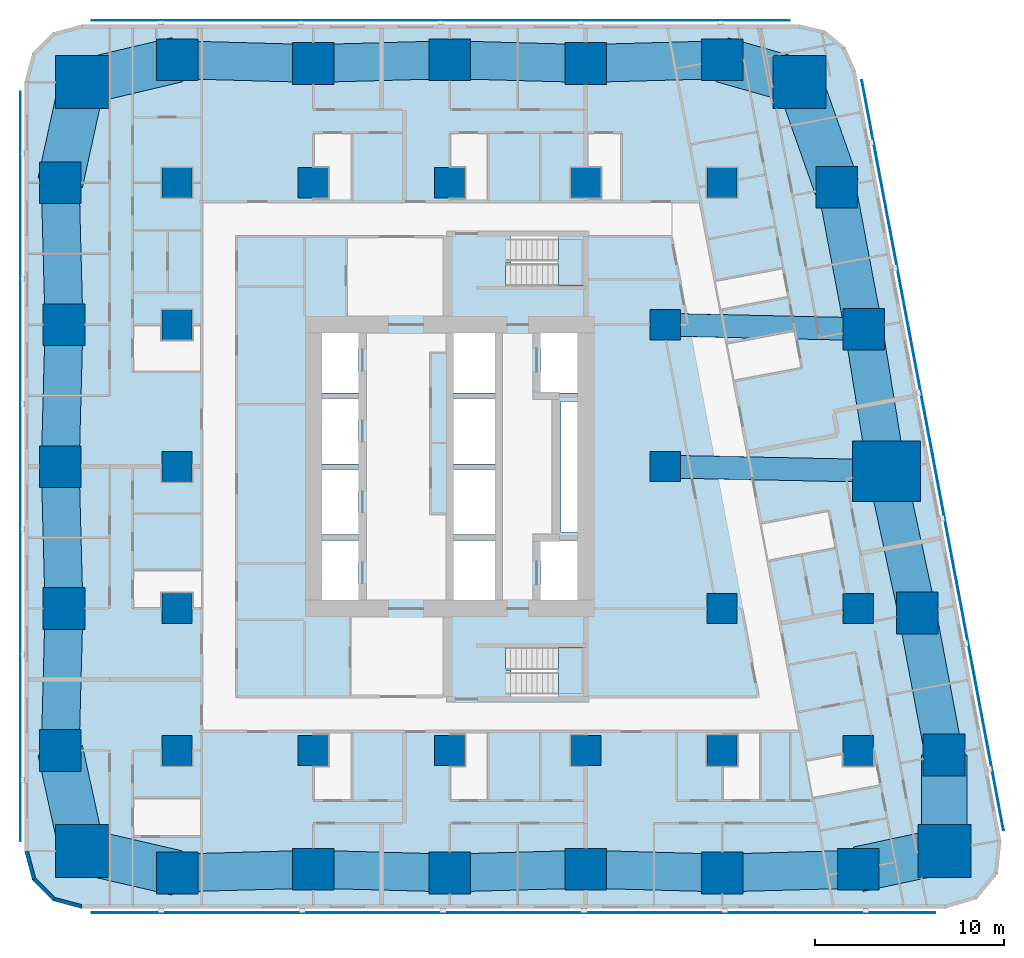
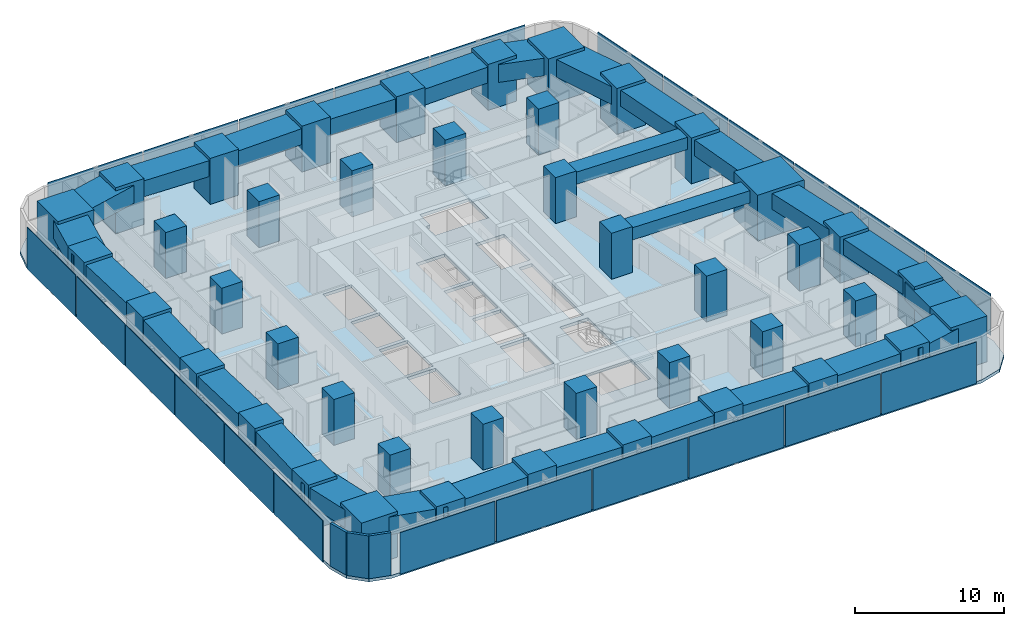
# One storey, part 1 of 17: 43 columns, 27 beams, 23 plates, 3 slabs, 3 walls, 2 elements without a shape of their own.
"""IFC4 building model written with IfcOpenShell, lengths in metres."""

from ifc_helpers import new_model, si_unit, direction, frame, frame_2d, origin, origin_2d, place, context, subcontext, project, spatial, polyline, rectangle, outline, extrude, material, layer, layer_set, material_profile, profile_set, type_object, element, aggregate, save


model = new_model("IFC4")

# Units and contexts
model_context = context("Model", 3, precision=1e-05, world=origin(), true_north=direction((0.0, 1.0)))
body_context = subcontext(model_context, "Body", "Model", "MODEL_VIEW")
ifc_project = project(units=[si_unit("LENGTHUNIT", "METRE"), si_unit("AREAUNIT", "SQUARE_METRE"), si_unit("VOLUMEUNIT", "CUBIC_METRE"), si_unit("PLANEANGLEUNIT", "RADIAN"), si_unit("MASSUNIT", "GRAM", prefix="KILO")], contexts=[model_context])

# Site, building, storey
site_placement = place(None, origin())
site = spatial("IfcSite", under=ifc_project, at=site_placement, CompositionType="ELEMENT")
building_placement = place(site_placement, origin())
building = spatial("IfcBuilding", under=site, at=building_placement, Name="Sheger Commons Tower", CompositionType="ELEMENT")
storey_placement = place(building_placement, frame((0.0, 0.0, 111.64990234375)))
storey = spatial("IfcBuildingStorey", under=building, at=storey_placement, Name="L28", CompositionType="ELEMENT", Elevation=111.64990234375)

# Columns
ifc_material_1 = material(Name="Concrete C50/60", Category="concrete")
ifc_material_profile_1 = material_profile(ifc_material_1, rectangle(XDim=3.60009765625, YDim=3.199951171875, at=origin_2d()), Name="RC 3600x3200")
ifc_profile_set_1 = profile_set([ifc_material_profile_1], Name="Concrete C50/60")
column_type_1 = type_object("IfcColumnType", Name="COLUMN PIER RC 3600x3200", PredefinedType="COLUMN", material=ifc_profile_set_1)
column_placement = place(storey_placement, frame((44.697021484375, 22.262939453125, 0.0), z_axis=(0.0, 0.0, 1.0), x_axis=(1.0, 0.0, 0.0)))
element("IfcColumn", 1, at=column_placement, inside=storey, type_object=column_type_1, Name="Pier 7/D+E/D L28", PredefinedType="COLUMN", context=body_context, shape_type="SweptSolid", body=[
    extrude(rectangle(XDim=3.60009765625, YDim=3.199951171875, at=origin_2d()), origin(), (0.0, 0.0, 1.0), 3.75),
])
ifc_material_2 = material(Name="Concrete C50/60", Category="concrete")
ifc_material_profile_2 = material_profile(ifc_material_2, rectangle(XDim=1.60009765625, YDim=1.60009765625, at=origin_2d()), Name="RC 1600x1600")
ifc_profile_set_2 = profile_set([ifc_material_profile_2], Name="Concrete C50/60")
column_type_2 = type_object("IfcColumnType", Name="COLUMN RC 1600x1600", PredefinedType="COLUMN", material=ifc_profile_set_2)
for number, where, z_axis, x_axis, name in (
    (2, (7.199951171875, 7.5, 0.0), (0.0, 0.0, 1.0), (1.0, 0.0, 0.0), "Column 2/B L28"),
    (3, (14.39990234375, 7.5, 0.0), (0.0, 0.0, 1.0), (1.0, 0.0, 0.0), "Column 3/B L28"),
    (4, (21.60009765625, 7.5, 0.0), (0.0, 0.0, 1.0), (1.0, 0.0, 0.0), "Column 4/B L28"),
    (5, (28.800048828125, 7.5, 0.0), (0.0, 0.0, 1.0), (1.0, 0.0, 0.0), "Column 5/B L28"),
    (6, (36.0, 7.5, 0.0), (0.0, 0.0, 1.0), (1.0, 0.0, 0.0), "Column 6/B L28"),
    (7, (43.199951171875, 7.5, 0.0), (0.0, 0.0, 1.0), (1.0, 0.0, 0.0), "Column 7/B L28"),
    (8, (7.199951171875, 15.0, 0.0), (0.0, 0.0, 1.0), (1.0, 0.0, 0.0), "Column 2/C L28"),
    (9, (36.0, 15.0, 0.0), (0.0, 0.0, 1.0), (1.0, 0.0, 0.0), "Column 6/C L28"),
    (10, (43.199951171875, 15.0, 0.0), (0.0, 0.0, 1.0), (1.0, 0.0, 0.0), "Column 7/C L28"),
    (11, (7.199951171875, 22.5, 0.0), (0.0, 0.0, 1.0), (1.0, 0.0, 0.0), "Column 2/D L28"),
    (12, (33.0, 22.5, 0.0), (0.0, 0.0, 1.0), (1.0, 0.0, 0.0), "Column 6-3000/D L28"),
    (13, (7.199951171875, 30.0, 0.0), (0.0, 0.0, 1.0), (1.0, 0.0, 0.0), "Column 2/E L28"),
    (14, (33.0, 30.0, 0.0), (0.0, 0.0, 1.0), (1.0, 0.0, 0.0), "Column 6-3000/E L28"),
    (15, (7.199951171875, 37.5, 0.0), (0.0, 0.0, 1.0), (1.0, 0.0, 0.0), "Column 2/F L28"),
    (16, (14.39990234375, 37.5, 0.0), (0.0, 0.0, 1.0), (1.0, 0.0, 0.0), "Column 3/F L28"),
    (17, (21.60009765625, 37.5, 0.0), (0.0, 0.0, 1.0), (1.0, 0.0, 0.0), "Column 4/F L28"),
    (18, (28.800048828125, 37.5, 0.0), (0.0, 0.0, 1.0), (1.0, 0.0, 0.0), "Column 5/F L28"),
    (19, (36.0, 37.5, 0.0), (0.0, 0.0, 1.0), (1.0, 0.0, 0.0), "Column 6/F L28"),
):
    element("IfcColumn", number, at=place(storey_placement, frame(where, z_axis=z_axis, x_axis=x_axis)), inside=storey, type_object=column_type_2, Name=name, PredefinedType="COLUMN", context=body_context, shape_type="SweptSolid", body=[
        extrude(rectangle(XDim=1.60009765625, YDim=1.60009765625, at=origin_2d()), origin(), (0.0, 0.0, 1.0), 3.75),
    ])
ifc_material_3 = material(Name="Concrete C50/60", Category="concrete")
ifc_material_profile_3 = material_profile(ifc_material_3, rectangle(XDim=2.199951171875, YDim=2.199951171875, at=origin_2d()), Name="RC 2200x2200")
ifc_profile_set_3 = profile_set([ifc_material_profile_3], Name="Concrete C50/60")
column_type_3 = type_object("IfcColumnType", Name="COLUMN RC 2200x2200", PredefinedType="COLUMN", material=ifc_profile_set_3)
for number, where, z_axis, x_axis, name in (
    (20, (7.199951171875, 1.02490234375, 0.0), (0.0, 0.0, 1.0), (1.0, 0.0, 0.0), "Column 2/A L28"),
    (21, (14.39990234375, 1.22509765625, 0.0), (0.0, 0.0, 1.0), (1.0, 0.0, 0.0), "Column 3/A L28"),
    (22, (21.60009765625, 1.02490234375, 0.0), (0.0, 0.0, 1.0), (1.0, 0.0, 0.0), "Column 4/A L28"),
    (23, (28.800048828125, 1.22509765625, 0.0), (0.0, 0.0, 1.0), (1.0, 0.0, 0.0), "Column 5/A L28"),
    (24, (36.0, 1.02490234375, 0.0), (0.0, 0.0, 1.0), (1.0, 0.0, 0.0), "Column 6/A L28"),
    (25, (43.199951171875, 1.22509765625, 0.0), (0.0, 0.0, 1.0), (1.0, 0.0, 0.0), "Column 7/A L28"),
    (26, (1.02490234375, 7.5, 0.0), (0.0, 0.0, 1.0), (1.0, 0.0, 0.0), "Column 1/B L28"),
    (27, (47.72998046875, 7.262939453125, 0.0), (0.0, 0.0, 1.0), (1.0, 0.0, 0.0), "Column E/B L28"),
    (28, (1.22509765625, 15.0, 0.0), (0.0, 0.0, 1.0), (1.0, 0.0, 0.0), "Column 1/C L28"),
    (29, (46.31396484375, 14.762939453125, 0.0), (0.0, 0.0, 1.0), (1.0, 0.0, 0.0), "Column E/C L28"),
    (30, (1.02490234375, 22.5, 0.0), (0.0, 0.0, 1.0), (1.0, 0.0, 0.0), "Column 1/D L28"),
    (31, (1.22509765625, 30.0, 0.0), (0.0, 0.0, 1.0), (1.0, 0.0, 0.0), "Column 1/E L28"),
    (32, (43.47998046875, 29.762939453125, 0.0), (0.0, 0.0, 1.0), (1.0, 0.0, 0.0), "Column E/E L28"),
    (33, (1.02490234375, 37.5, 0.0), (0.0, 0.0, 1.0), (1.0, 0.0, 0.0), "Column 1/F L28"),
    (34, (42.06396484375, 37.262939453125, 0.0), (0.0, 0.0, 1.0), (1.0, 0.0, 0.0), "Column E/F L28"),
    (35, (7.199951171875, 44.0, 0.0), (0.0, 0.0, 1.0), (1.0, 0.0, 0.0), "Column 2/G L28"),
    (36, (14.39990234375, 43.800048828125, 0.0), (0.0, 0.0, 1.0), (1.0, 0.0, 0.0), "Column 3/G L28"),
    (37, (21.60009765625, 44.0, 0.0), (0.0, 0.0, 1.0), (1.0, 0.0, 0.0), "Column 4/G L28"),
    (38, (28.800048828125, 43.800048828125, 0.0), (0.0, 0.0, 1.0), (1.0, 0.0, 0.0), "Column 5/G L28"),
    (39, (36.0, 44.0, 0.0), (0.0, 0.0, 1.0), (1.0, 0.0, 0.0), "Column 6/G L28"),
):
    element("IfcColumn", number, at=place(storey_placement, frame(where, z_axis=z_axis, x_axis=x_axis)), inside=storey, type_object=column_type_3, Name=name, PredefinedType="COLUMN", context=body_context, shape_type="SweptSolid", body=[
        extrude(rectangle(XDim=2.199951171875, YDim=2.199951171875, at=origin_2d()), origin(), (0.0, 0.0, 1.0), 3.75),
    ])
ifc_material_4 = material(Name="Concrete C50/60", Category="concrete")
ifc_material_profile_4 = material_profile(ifc_material_4, rectangle(XDim=2.800048828125, YDim=2.800048828125, at=origin_2d()), Name="RC 2800x2800")
ifc_profile_set_4 = profile_set([ifc_material_profile_4], Name="Concrete C50/60")
column_type_4 = type_object("IfcColumnType", Name="COLUMN RC 2800x2800", PredefinedType="COLUMN", material=ifc_profile_set_4)
for number, where, z_axis, x_axis, name in (
    (40, (2.18603515625, 2.18603515625, 0.0), (0.0, 0.0, 1.0), (1.0, 0.0, 0.0), "Column 0.630,0.630 L28"),
    (41, (47.748046875, 2.197021484375, 0.0), (0.0, 0.0, 1.0), (1.0, 0.0, 0.0), "Column 49.461,0.778 L28"),
    (42, (2.18603515625, 42.81396484375, 0.0), (0.0, 0.0, 1.0), (1.0, 0.0, 0.0), "Column 0.630,44.370 L28"),
    (43, (40.10205078125, 42.830078125, 0.0), (0.0, 0.0, 1.0), (1.0, 0.0, 0.0), "Column 41.490,44.505 L28"),
):
    element("IfcColumn", number, at=place(storey_placement, frame(where, z_axis=z_axis, x_axis=x_axis)), inside=storey, type_object=column_type_4, Name=name, PredefinedType="COLUMN", context=body_context, shape_type="SweptSolid", body=[
        extrude(rectangle(XDim=2.800048828125, YDim=2.800048828125, at=origin_2d()), origin(), (0.0, 0.0, 1.0), 3.75),
    ])

# Beams
ifc_material_5 = material(Name="Concrete C50/60", Category="concrete")
ifc_material_profile_5 = material_profile(ifc_material_5, rectangle(XDim=1.199951171875, YDim=1.0, at=origin_2d()), Name="RC 1200x1000")
ifc_profile_set_5 = profile_set([ifc_material_profile_5], Name="Concrete C50/60")
beam_type_1 = type_object("IfcBeamType", Name="BEAM RC 1200x1000", PredefinedType="BEAM", material=ifc_profile_set_5)
beam_1_placement = place(storey_placement, frame((33.0, 22.5, 3.0), z_axis=(0.999794692776, -0.02026258368, 0.0), x_axis=(0.02026258368, 0.999794692776, 0.0)))
element("IfcBeam", 44, at=beam_1_placement, inside=storey, type_object=beam_type_1, Name="Beam 6-3000/D-7/D under L29", PredefinedType="BEAM", context=body_context, shape_type="SweptSolid", body=[
    extrude(rectangle(XDim=1.199951171875, YDim=1.0, at=origin_2d()), origin(), (0.0, 0.0, 1.0), 11.699462890625),
])
beam_2_placement = place(storey_placement, frame((33.0, 30.0, 3.0), z_axis=(0.999744258625, -0.022614538395, 0.0), x_axis=(0.022614538395, 0.999744258625, 0.0)))
element("IfcBeam", 45, at=beam_2_placement, inside=storey, type_object=beam_type_1, Name="Beam 6-3000/E-E/E under L29", PredefinedType="BEAM", context=body_context, shape_type="SweptSolid", body=[
    extrude(rectangle(XDim=1.199951171875, YDim=1.0, at=origin_2d()), origin(), (0.0, 0.0, 1.0), 10.482666015625),
])
ifc_material_6 = material(Name="Concrete C50/60", Category="concrete")
ifc_material_profile_6 = material_profile(ifc_material_6, rectangle(XDim=2.0, YDim=1.300048828125, at=origin_2d()), Name="RC 2000x1300")
ifc_profile_set_6 = profile_set([ifc_material_profile_6], Name="Concrete C50/60")
beam_type_2 = type_object("IfcBeamType", Name="SPANDREL RC 2000x1300", PredefinedType="SPANDREL", material=ifc_profile_set_6)
beam_3_placement = place(storey_placement, frame((7.199951171875, 1.02490234375, 2.85009765625), z_axis=(0.9996136624, 0.027794350926, 0.0), x_axis=(-0.027794350926, 0.9996136624, 0.0)))
element("IfcBeam", 46, at=beam_3_placement, inside=storey, type_object=beam_type_2, Name="Beam 2/A-3/A under L29", PredefinedType="SPANDREL", context=body_context, shape_type="SweptSolid", body=[
    extrude(rectangle(XDim=2.0, YDim=1.300048828125, at=origin_2d()), origin(), (0.0, 0.0, 1.0), 7.20263671875),
])
beam_4_placement = place(storey_placement, frame((14.39990234375, 1.22509765625, 2.85009765625), z_axis=(0.999613688584, -0.027793409217, 0.0), x_axis=(0.027793409217, 0.999613688584, 0.0)))
element("IfcBeam", 47, at=beam_4_placement, inside=storey, type_object=beam_type_2, Name="Beam 3/A-4/A under L29", PredefinedType="SPANDREL", context=body_context, shape_type="SweptSolid", body=[
    extrude(rectangle(XDim=2.0, YDim=1.300048828125, at=origin_2d()), origin(), (0.0, 0.0, 1.0), 7.202880859375),
])
for number, where, z_axis, x_axis, name in (
    (48, (21.60009765625, 1.02490234375, 2.85009765625), (0.9996136624, 0.027794350926, 0.0), (-0.027794350926, 0.9996136624, 0.0), "Beam 4/A-5/A under L29"),
    (49, (28.800048828125, 1.22509765625, 2.85009765625), (0.9996136624, -0.027794350926, 0.0), (0.027794350926, 0.9996136624, 0.0), "Beam 5/A-6/A under L29"),
    (50, (36.0, 1.02490234375, 2.85009765625), (0.9996136624, 0.027794350926, 0.0), (-0.027794350926, 0.9996136624, 0.0), "Beam 6/A-7/A under L29"),
):
    element("IfcBeam", number, at=place(storey_placement, frame(where, z_axis=z_axis, x_axis=x_axis)), inside=storey, type_object=beam_type_2, Name=name, PredefinedType="SPANDREL", context=body_context, shape_type="SweptSolid", body=[
        extrude(rectangle(XDim=2.0, YDim=1.300048828125, at=origin_2d()), origin(), (0.0, 0.0, 1.0), 7.20263671875),
    ])
beam_5_placement = place(storey_placement, frame((47.72998046875, 7.262939453125, 2.85009765625), z_axis=(-0.18552441405, 0.982639655108, 0.0), x_axis=(-0.982639655108, -0.18552441405, 0.0)))
element("IfcBeam", 51, at=beam_5_placement, inside=storey, type_object=beam_type_2, Name="Beam E/B-E/C under L29", PredefinedType="SPANDREL", context=body_context, shape_type="SweptSolid", body=[
    extrude(rectangle(XDim=2.0, YDim=1.300048828125, at=origin_2d()), origin(), (0.0, 0.0, 1.0), 7.632568359375),
])
beam_6_placement = place(storey_placement, frame((46.31396484375, 14.762939453125, 2.85009765625), z_axis=(-0.210750229323, 0.977539943348, 0.0), x_axis=(-0.977539943348, -0.210750229323, 0.0)))
element("IfcBeam", 52, at=beam_6_placement, inside=storey, type_object=beam_type_2, Name="Beam E/C-E/D under L29", PredefinedType="SPANDREL", context=body_context, shape_type="SweptSolid", body=[
    extrude(rectangle(XDim=2.0, YDim=1.300048828125, at=origin_2d()), origin(), (0.0, 0.0, 1.0), 7.67236328125),
])
beam_7_placement = place(storey_placement, frame((44.697021484375, 22.262939453125, 2.85009765625), z_axis=(-0.160176929512, 0.987088319884, 0.0), x_axis=(-0.987088319884, -0.160176929512, 0.0)))
element("IfcBeam", 53, at=beam_7_placement, inside=storey, type_object=beam_type_2, Name="Beam E/D-E/E under L29", PredefinedType="SPANDREL", context=body_context, shape_type="SweptSolid", body=[
    extrude(rectangle(XDim=2.0, YDim=1.300048828125, at=origin_2d()), origin(), (0.0, 0.0, 1.0), 7.59814453125),
])
beam_8_placement = place(storey_placement, frame((43.47998046875, 29.762939453125, 2.85009765625), z_axis=(-0.18552441405, 0.982639655108, 0.0), x_axis=(-0.982639655108, -0.18552441405, 0.0)))
element("IfcBeam", 54, at=beam_8_placement, inside=storey, type_object=beam_type_2, Name="Beam E/E-E/F under L29", PredefinedType="SPANDREL", context=body_context, shape_type="SweptSolid", body=[
    extrude(rectangle(XDim=2.0, YDim=1.300048828125, at=origin_2d()), origin(), (0.0, 0.0, 1.0), 7.632568359375),
])
for number, where, z_axis, x_axis, name in (
    (55, (36.0, 44.0, 2.85009765625), (-0.999614603568, -0.027760481514, 0.0), (0.027760481514, -0.999614603568, 0.0), "Beam 6/G-5/G under L29"),
    (56, (28.800048828125, 43.800048828125, 2.85009765625), (-0.999614603568, 0.027760481514, 0.0), (-0.027760481514, -0.999614603568, 0.0), "Beam 5/G-4/G under L29"),
):
    element("IfcBeam", number, at=place(storey_placement, frame(where, z_axis=z_axis, x_axis=x_axis)), inside=storey, type_object=beam_type_2, Name=name, PredefinedType="SPANDREL", context=body_context, shape_type="SweptSolid", body=[
        extrude(rectangle(XDim=2.0, YDim=1.300048828125, at=origin_2d()), origin(), (0.0, 0.0, 1.0), 7.20263671875),
    ])
beam_9_placement = place(storey_placement, frame((21.60009765625, 44.0, 2.85009765625), z_axis=(-0.999614629688, -0.027759540951, 0.0), x_axis=(0.027759540951, -0.999614629688, 0.0)))
element("IfcBeam", 57, at=beam_9_placement, inside=storey, type_object=beam_type_2, Name="Beam 4/G-3/G under L29", PredefinedType="SPANDREL", context=body_context, shape_type="SweptSolid", body=[
    extrude(rectangle(XDim=2.0, YDim=1.300048828125, at=origin_2d()), origin(), (0.0, 0.0, 1.0), 7.202880859375),
])
beam_10_placement = place(storey_placement, frame((14.39990234375, 43.800048828125, 2.85009765625), z_axis=(-0.999614603568, 0.027760481514, 0.0), x_axis=(-0.027760481514, -0.999614603568, 0.0)))
element("IfcBeam", 58, at=beam_10_placement, inside=storey, type_object=beam_type_2, Name="Beam 3/G-2/G under L29", PredefinedType="SPANDREL", context=body_context, shape_type="SweptSolid", body=[
    extrude(rectangle(XDim=2.0, YDim=1.300048828125, at=origin_2d()), origin(), (0.0, 0.0, 1.0), 7.20263671875),
])
for number, where, z_axis, x_axis, name in (
    (59, (1.02490234375, 37.5, 2.85009765625), (0.026683204125, -0.999643939919, 0.0), (0.999643939919, 0.026683204125, 0.0), "Beam 1/F-1/E under L29"),
    (60, (1.22509765625, 30.0, 2.85009765625), (-0.026683204125, -0.999643939919, 0.0), (0.999643939919, -0.026683204125, 0.0), "Beam 1/E-1/D under L29"),
    (61, (1.02490234375, 22.5, 2.85009765625), (0.026683204125, -0.999643939919, 0.0), (0.999643939919, 0.026683204125, 0.0), "Beam 1/D-1/C under L29"),
    (62, (1.22509765625, 15.0, 2.85009765625), (-0.026683204125, -0.999643939919, 0.0), (0.999643939919, -0.026683204125, 0.0), "Beam 1/C-1/B under L29"),
):
    element("IfcBeam", number, at=place(storey_placement, frame(where, z_axis=z_axis, x_axis=x_axis)), inside=storey, type_object=beam_type_2, Name=name, PredefinedType="SPANDREL", context=body_context, shape_type="SweptSolid", body=[
        extrude(rectangle(XDim=2.0, YDim=1.300048828125, at=origin_2d()), origin(), (0.0, 0.0, 1.0), 7.502685546875),
    ])
ifc_material_7 = material(Name="Concrete C50/60", Category="concrete")
ifc_material_profile_7 = material_profile(ifc_material_7, rectangle(XDim=2.39990234375, YDim=1.449951171875, at=origin_2d()), Name="RC 2400x1450")
ifc_profile_set_7 = profile_set([ifc_material_profile_7], Name="Concrete C50/60")
beam_type_3 = type_object("IfcBeamType", Name="SPANDREL RC 2400x1450", PredefinedType="SPANDREL", material=ifc_profile_set_7)
beam_11_placement = place(storey_placement, frame((2.18603515625, 2.18603515625, 2.775146484375), z_axis=(0.974217413499, -0.225611239159, 0.0), x_axis=(0.225611239159, 0.974217413499, 0.0)))
element("IfcBeam", 63, at=beam_11_placement, inside=storey, type_object=beam_type_3, Name="Beam 0.630,0.630-2/A under L29", PredefinedType="SPANDREL", context=body_context, shape_type="SweptSolid", body=[
    extrude(rectangle(XDim=2.39990234375, YDim=1.449951171875, at=origin_2d()), origin(), (0.0, 0.0, 1.0), 5.146728515625),
])
beam_12_placement = place(storey_placement, frame((43.199951171875, 1.22509765625, 2.775146484375), z_axis=(0.977919796671, 0.208980552394, 0.0), x_axis=(-0.208980552394, 0.977919796671, 0.0)))
element("IfcBeam", 64, at=beam_12_placement, inside=storey, type_object=beam_type_3, Name="Beam 7/A-49.461,0.778 under L29", PredefinedType="SPANDREL", context=body_context, shape_type="SweptSolid", body=[
    extrude(rectangle(XDim=2.39990234375, YDim=1.449951171875, at=origin_2d()), origin(), (0.0, 0.0, 1.0), 4.65087890625),
])
beam_13_placement = place(storey_placement, frame((47.748046875, 2.197021484375, 2.775146484375), z_axis=(-0.003566242382, 0.999993640937, 0.0), x_axis=(-0.999993640937, -0.003566242382, 0.0)))
element("IfcBeam", 65, at=beam_13_placement, inside=storey, type_object=beam_type_3, Name="Beam 49.461,0.778-E/B under L29", PredefinedType="SPANDREL", context=body_context, shape_type="SweptSolid", body=[
    extrude(rectangle(XDim=2.39990234375, YDim=1.449951171875, at=origin_2d()), origin(), (0.0, 0.0, 1.0), 5.06591796875),
])
beam_14_placement = place(storey_placement, frame((42.06396484375, 37.262939453125, 2.775146484375), z_axis=(-0.332374403357, 0.943147526102, 0.0), x_axis=(-0.943147526102, -0.332374403357, 0.0)))
element("IfcBeam", 66, at=beam_14_placement, inside=storey, type_object=beam_type_3, Name="Beam E/F-41.490,44.505 under L29", PredefinedType="SPANDREL", context=body_context, shape_type="SweptSolid", body=[
    extrude(rectangle(XDim=2.39990234375, YDim=1.449951171875, at=origin_2d()), origin(), (0.0, 0.0, 1.0), 5.90283203125),
])
beam_15_placement = place(storey_placement, frame((40.10205078125, 42.830078125, 2.775146484375), z_axis=(-0.961653428129, 0.274267541221, 0.0), x_axis=(-0.274267541221, -0.961653428129, 0.0)))
element("IfcBeam", 67, at=beam_15_placement, inside=storey, type_object=beam_type_3, Name="Beam 41.490,44.505-6/G under L29", PredefinedType="SPANDREL", context=body_context, shape_type="SweptSolid", body=[
    extrude(rectangle(XDim=2.39990234375, YDim=1.449951171875, at=origin_2d()), origin(), (0.0, 0.0, 1.0), 4.265625),
])
beam_16_placement = place(storey_placement, frame((7.199951171875, 44.0, 2.775146484375), z_axis=(-0.97314428949, -0.230195985701, 0.0), x_axis=(0.230195985701, -0.97314428949, 0.0)))
element("IfcBeam", 68, at=beam_16_placement, inside=storey, type_object=beam_type_3, Name="Beam 2/G-0.630,44.370 under L29", PredefinedType="SPANDREL", context=body_context, shape_type="SweptSolid", body=[
    extrude(rectangle(XDim=2.39990234375, YDim=1.449951171875, at=origin_2d()), origin(), (0.0, 0.0, 1.0), 5.15234375),
])
for number, where, z_axis, x_axis, name in (
    (69, (2.18603515625, 42.81396484375, 2.775146484375), (-0.213469314652, -0.976949769283, 0.0), (0.976949769283, -0.213469314652, 0.0), "Beam 0.630,44.370-1/F under L29"),
    (70, (1.02490234375, 7.5, 2.775146484375), (0.213469314652, -0.976949769283, 0.0), (0.976949769283, 0.213469314652, 0.0), "Beam 1/B-0.630,0.630 under L29"),
):
    element("IfcBeam", number, at=place(storey_placement, frame(where, z_axis=z_axis, x_axis=x_axis)), inside=storey, type_object=beam_type_3, Name=name, PredefinedType="SPANDREL", context=body_context, shape_type="SweptSolid", body=[
        extrude(rectangle(XDim=2.39990234375, YDim=1.449951171875, at=origin_2d()), origin(), (0.0, 0.0, 1.0), 5.439453125),
    ])

# Slab
ifc_material_8 = material(Name="Concrete C35/45", Category="concrete")
ifc_layer_1 = layer(ifc_material_8, 0.25)
ifc_layer_set_1 = layer_set([ifc_layer_1], Name="SLAB FLOOR 250")
slab_type_1 = type_object("IfcSlabType", Name="SLAB FLOOR 250", PredefinedType="FLOOR", material=ifc_layer_set_1)
slab_1_placement = place(storey_placement, frame((0.0, 0.0, -0.25)))
element("IfcSlab", 71, at=slab_1_placement, inside=storey, type_object=slab_type_1, Name="L28 floor slab", PredefinedType="FLOOR", context=body_context, shape_type="SweptSolid", body=[
    extrude(outline(polyline([(-0.85009765625, 2.14990234375), (-0.447998046875, 0.64990234375), (0.64990234375, -0.447998046875), (2.14990234375, -0.85009765625), (47.805908203125, -0.85009765625), (49.465087890625, -0.35009765625), (50.570068359375, 0.98388671875), (50.75390625, 2.70703125), (43.06591796875, 43.406982421875), (42.509033203125, 44.660888671875), (41.452880859375, 45.535888671875), (40.117919921875, 45.85009765625), (2.14990234375, 45.85009765625), (0.64990234375, 45.447998046875), (-0.447998046875, 44.35009765625), (-0.85009765625, 42.85009765625), (-0.85009765625, 2.14990234375)]), holes=[polyline([(24.85009765625, 10.35009765625), (28.64990234375, 10.35009765625), (28.64990234375, 12.949951171875), (24.551025390625, 12.949951171875), (24.551025390625, 11.75), (24.85009765625, 11.75), (24.85009765625, 10.35009765625)]), polyline([(24.551025390625, 32.050048828125), (28.64990234375, 32.050048828125), (28.64990234375, 34.64990234375), (24.85009765625, 34.64990234375), (24.85009765625, 33.25), (24.551025390625, 33.25), (24.551025390625, 32.050048828125)]), polyline([(26.39990234375, 15.14990234375), (28.60009765625, 15.14990234375), (28.60009765625, 18.60009765625), (26.39990234375, 18.60009765625), (26.39990234375, 15.14990234375)]), polyline([(26.39990234375, 26.39990234375), (28.60009765625, 26.39990234375), (28.60009765625, 29.85009765625), (26.39990234375, 29.85009765625), (26.39990234375, 26.39990234375)]), polyline([(14.60009765625, 15.14990234375), (16.800048828125, 15.14990234375), (16.800048828125, 18.60009765625), (14.60009765625, 18.60009765625), (14.60009765625, 15.14990234375)]), polyline([(14.60009765625, 18.89990234375), (16.800048828125, 18.89990234375), (16.800048828125, 22.35009765625), (14.60009765625, 22.35009765625), (14.60009765625, 18.89990234375)]), polyline([(14.60009765625, 22.64990234375), (16.800048828125, 22.64990234375), (16.800048828125, 26.10009765625), (14.60009765625, 26.10009765625), (14.60009765625, 22.64990234375)]), polyline([(14.60009765625, 26.39990234375), (16.800048828125, 26.39990234375), (16.800048828125, 29.85009765625), (14.60009765625, 29.85009765625), (14.60009765625, 26.39990234375)]), polyline([(21.800048828125, 15.14990234375), (24.0, 15.14990234375), (24.0, 18.60009765625), (21.800048828125, 18.60009765625), (21.800048828125, 15.14990234375)]), polyline([(21.800048828125, 18.89990234375), (24.0, 18.89990234375), (24.0, 22.35009765625), (21.800048828125, 22.35009765625), (21.800048828125, 18.89990234375)]), polyline([(21.800048828125, 22.64990234375), (24.0, 22.64990234375), (24.0, 26.10009765625), (21.800048828125, 26.10009765625), (21.800048828125, 22.64990234375)]), polyline([(21.800048828125, 26.39990234375), (24.0, 26.39990234375), (24.0, 29.85009765625), (21.800048828125, 29.85009765625), (21.800048828125, 26.39990234375)]), polyline([(27.5, 19.050048828125), (28.5, 19.050048828125), (28.5, 25.949951171875), (27.5, 25.949951171875), (27.5, 19.050048828125)])]), origin(), (0.0, 0.0, 1.0), 0.25),
])

# Plates
ifc_material_9 = material(Name="Perforated black anodised aluminium screen", Category="aluminium")
ifc_layer_2 = layer(ifc_material_9, 0.050048828125)
ifc_layer_set_2 = layer_set([ifc_layer_2], Name="SOLAR SCREEN SCREEN-1")
plate_type = type_object("IfcPlateType", Name="SOLAR SCREEN SCREEN-1", PredefinedType="USERDEFINED", material=ifc_layer_set_2)
for number, where, z_axis, x_axis, name in (
    (72, (6.37109375, -1.074951171875, 0.050048828125), (0.0, 0.0, 1.0), (1.0, 0.0, 0.0), "Perforated solar screen panel"),
    (73, (13.81396484375, -1.074951171875, 0.050048828125), (0.0, 0.0, 1.0), (1.0, 0.0, 0.0), "Perforated solar screen panel"),
    (74, (21.257080078125, -1.074951171875, 0.050048828125), (0.0, 0.0, 1.0), (1.0, 0.0, 0.0), "Perforated solar screen panel"),
    (75, (28.698974609375, -1.074951171875, 0.050048828125), (0.0, 0.0, 1.0), (1.0, 0.0, 0.0), "Perforated solar screen panel"),
    (76, (36.14208984375, -1.074951171875, 0.050048828125), (0.0, 0.0, 1.0), (1.0, 0.0, 0.0), "Perforated solar screen panel"),
    (77, (43.5849609375, -1.074951171875, 0.050048828125), (0.0, 0.0, 1.0), (1.0, 0.0, 0.0), "Perforated solar screen panel"),
):
    element("IfcPlate", number, at=place(storey_placement, frame(where, z_axis=z_axis, x_axis=x_axis)), inside=storey, type_object=plate_type, Name=name, ObjectType="SCREEN", PredefinedType="USERDEFINED", context=body_context, shape_type="SweptSolid", body=[
        extrude(rectangle(XDim=7.343017578125, YDim=0.050048828125, at=origin_2d()), origin(), (0.0, 0.0, 1.0), 3.39990234375),
    ])
for number, where, z_axis, x_axis, name in (
    (78, (50.257080078125, 6.550048828125, 0.050048828125), (0.0, 0.0, 1.0), (-0.185615165645, 0.982622516678, 0.0), "Perforated solar screen panel"),
    (79, (49.007080078125, 13.1689453125, 0.050048828125), (0.0, 0.0, 1.0), (-0.185615165645, 0.982622516678, 0.0), "Perforated solar screen panel"),
    (80, (47.756103515625, 19.7890625, 0.050048828125), (0.0, 0.0, 1.0), (-0.185615165645, 0.982622516678, 0.0), "Perforated solar screen panel"),
    (81, (46.506103515625, 26.408935546875, 0.050048828125), (0.0, 0.0, 1.0), (-0.185615165645, 0.982622516678, 0.0), "Perforated solar screen panel"),
    (82, (45.2548828125, 33.028076171875, 0.050048828125), (0.0, 0.0, 1.0), (-0.185615165645, 0.982622516678, 0.0), "Perforated solar screen panel"),
    (83, (44.0048828125, 39.64794921875, 0.050048828125), (0.0, 0.0, 1.0), (-0.185615165645, 0.982622516678, 0.0), "Perforated solar screen panel"),
):
    element("IfcPlate", number, at=place(storey_placement, frame(where, z_axis=z_axis, x_axis=x_axis)), inside=storey, type_object=plate_type, Name=name, ObjectType="SCREEN", PredefinedType="USERDEFINED", context=body_context, shape_type="SweptSolid", body=[
        extrude(rectangle(XDim=6.636962890625, YDim=0.050048828125, at=origin_2d()), origin(), (0.0, 0.0, 1.0), 3.39990234375),
    ])
for number, where, z_axis, x_axis, name in (
    (84, (35.9208984375, 46.074951171875, 0.050048828125), (0.0, 0.0, 1.0), (-1.0, 0.0, 0.0), "Perforated solar screen panel"),
    (85, (28.528076171875, 46.074951171875, 0.050048828125), (0.0, 0.0, 1.0), (-1.0, 0.0, 0.0), "Perforated solar screen panel"),
    (86, (21.134033203125, 46.074951171875, 0.050048828125), (0.0, 0.0, 1.0), (-1.0, 0.0, 0.0), "Perforated solar screen panel"),
    (87, (13.739990234375, 46.074951171875, 0.050048828125), (0.0, 0.0, 1.0), (-1.0, 0.0, 0.0), "Perforated solar screen panel"),
    (88, (6.346923828125, 46.074951171875, 0.050048828125), (0.0, 0.0, 1.0), (-1.0, 0.0, 0.0), "Perforated solar screen panel"),
):
    element("IfcPlate", number, at=place(storey_placement, frame(where, z_axis=z_axis, x_axis=x_axis)), inside=storey, type_object=plate_type, Name=name, ObjectType="SCREEN", PredefinedType="USERDEFINED", context=body_context, shape_type="SweptSolid", body=[
        extrude(rectangle(XDim=7.2939453125, YDim=0.050048828125, at=origin_2d()), origin(), (0.0, 0.0, 1.0), 3.39990234375),
    ])
for number, where, z_axis, x_axis, name in (
    (89, (-1.074951171875, 39.0419921875, 0.050048828125), (0.0, 0.0, 1.0), (0.0, -1.0, 0.0), "Perforated solar screen panel"),
    (90, (-1.074951171875, 32.425048828125, 0.050048828125), (0.0, 0.0, 1.0), (0.0, -1.0, 0.0), "Perforated solar screen panel"),
    (91, (-1.074951171875, 25.80810546875, 0.050048828125), (0.0, 0.0, 1.0), (0.0, -1.0, 0.0), "Perforated solar screen panel"),
    (92, (-1.074951171875, 19.19189453125, 0.050048828125), (0.0, 0.0, 1.0), (0.0, -1.0, 0.0), "Perforated solar screen panel"),
    (93, (-1.074951171875, 12.574951171875, 0.050048828125), (0.0, 0.0, 1.0), (0.0, -1.0, 0.0), "Perforated solar screen panel"),
    (94, (-1.074951171875, 5.9580078125, 0.050048828125), (0.0, 0.0, 1.0), (0.0, -1.0, 0.0), "Perforated solar screen panel"),
):
    element("IfcPlate", number, at=place(storey_placement, frame(where, z_axis=z_axis, x_axis=x_axis)), inside=storey, type_object=plate_type, Name=name, ObjectType="SCREEN", PredefinedType="USERDEFINED", context=body_context, shape_type="SweptSolid", body=[
        extrude(rectangle(XDim=6.51708984375, YDim=0.050048828125, at=origin_2d()), origin(), (0.0, 0.0, 1.0), 3.39990234375),
    ])

# Stair, slab
ifc_material_10 = material(Name="Concrete C35/45", Category="concrete")
stair_type = type_object("IfcStairType", Name="HALF-TURN STAIR 1200 RISE 3750", PredefinedType="HALF_TURN_STAIR", material=ifc_material_10)
stair_1_placement = place(storey_placement, origin())
stair_1 = element("IfcStair", 95, at=stair_1_placement, inside=storey, type_object=stair_type, Name="Stair S1 L28", PredefinedType="HALF_TURN_STAIR")
ifc_material_11 = material(Name="Concrete C35/45", Category="concrete")
ifc_layer_3 = layer(ifc_material_11, 0.199951171875)
ifc_layer_set_3 = layer_set([ifc_layer_3], Name="STAIR LANDING 200")
slab_type_2 = type_object("IfcSlabType", Name="STAIR LANDING 200", PredefinedType="LANDING", material=ifc_layer_set_3)
slab_2_placement = place(storey_placement, frame((0.0, 0.0, 1.675048828125)))
slab_2 = element("IfcSlab", 96, at=slab_2_placement, type_object=slab_type_2, Name="S1 landing 1", PredefinedType="LANDING", context=body_context, shape_type="SweptSolid", body=[
    extrude(outline(polyline([(27.35009765625, 10.199951171875), (28.800048828125, 10.199951171875), (28.800048828125, 12.949951171875), (27.35009765625, 12.949951171875), (27.35009765625, 10.199951171875)])), origin(), (0.0, 0.0, 1.0), 0.199951171875),
])
aggregate(stair_1, [slab_2])

stair_2_placement = place(storey_placement, origin())
stair_2 = element("IfcStair", 97, at=stair_2_placement, inside=storey, type_object=stair_type, Name="Stair S2 L28", PredefinedType="HALF_TURN_STAIR")
slab_3_placement = place(storey_placement, frame((0.0, 0.0, 1.675048828125)))
slab_3 = element("IfcSlab", 98, at=slab_3_placement, type_object=slab_type_2, Name="S2 landing 1", PredefinedType="LANDING", context=body_context, shape_type="SweptSolid", body=[
    extrude(outline(polyline([(27.35009765625, 32.050048828125), (28.800048828125, 32.050048828125), (28.800048828125, 34.800048828125), (27.35009765625, 34.800048828125), (27.35009765625, 32.050048828125)])), origin(), (0.0, 0.0, 1.0), 0.199951171875),
])
aggregate(stair_2, [slab_3])

# Walls
ifc_material_12 = material(Name="Rendered concrete block masonry, dark grey", Category="masonry")
ifc_layer_4 = layer(ifc_material_12, 0.199951171875)
ifc_layer_set_4 = layer_set([ifc_layer_4], Name="FACADE WALL 200")
wall_type = type_object("IfcWallType", Name="FACADE WALL 200", PredefinedType="SOLIDWALL", material=ifc_layer_set_4)
wall_1_placement = place(storey_placement, frame((-0.75, 2.1630859375, 0.0), z_axis=(0.0, 0.0, 1.0), x_axis=(0.259168954497, -0.965832000415, 0.0)))
element("IfcWall", 99, at=wall_1_placement, inside=storey, type_object=wall_type, Name="Facade wall L28", PredefinedType="SOLIDWALL", context=body_context, shape_type="SweptSolid", body=[
    extrude(rectangle(XDim=1.512939453125, YDim=0.199951171875, at=frame_2d((0.75634765625, 0.0))), origin(), (0.0, 0.0, 1.0), 3.5),
])
wall_2_placement = place(storey_placement, frame((-0.35791015625, 0.701904296875, 0.0), z_axis=(0.0, 0.0, 1.0), x_axis=(0.707106781187, -0.707106781187, 0.0)))
element("IfcWall", 100, at=wall_2_placement, inside=storey, type_object=wall_type, Name="Facade wall L28", PredefinedType="SOLIDWALL", context=body_context, shape_type="SweptSolid", body=[
    extrude(rectangle(XDim=1.498779296875, YDim=0.199951171875, at=frame_2d((0.74951171875, 0.0))), origin(), (0.0, 0.0, 1.0), 3.5),
])
wall_3_placement = place(storey_placement, frame((0.701904296875, -0.35791015625, 0.0), z_axis=(0.0, 0.0, 1.0), x_axis=(0.965832000415, -0.259168954497, 0.0)))
element("IfcWall", 101, at=wall_3_placement, inside=storey, type_object=wall_type, Name="Facade wall L28", PredefinedType="SOLIDWALL", context=body_context, shape_type="SweptSolid", body=[
    extrude(rectangle(XDim=1.512939453125, YDim=0.199951171875, at=frame_2d((0.75634765625, 0.0))), origin(), (0.0, 0.0, 1.0), 3.5),
])

save(model, "model.ifc")
